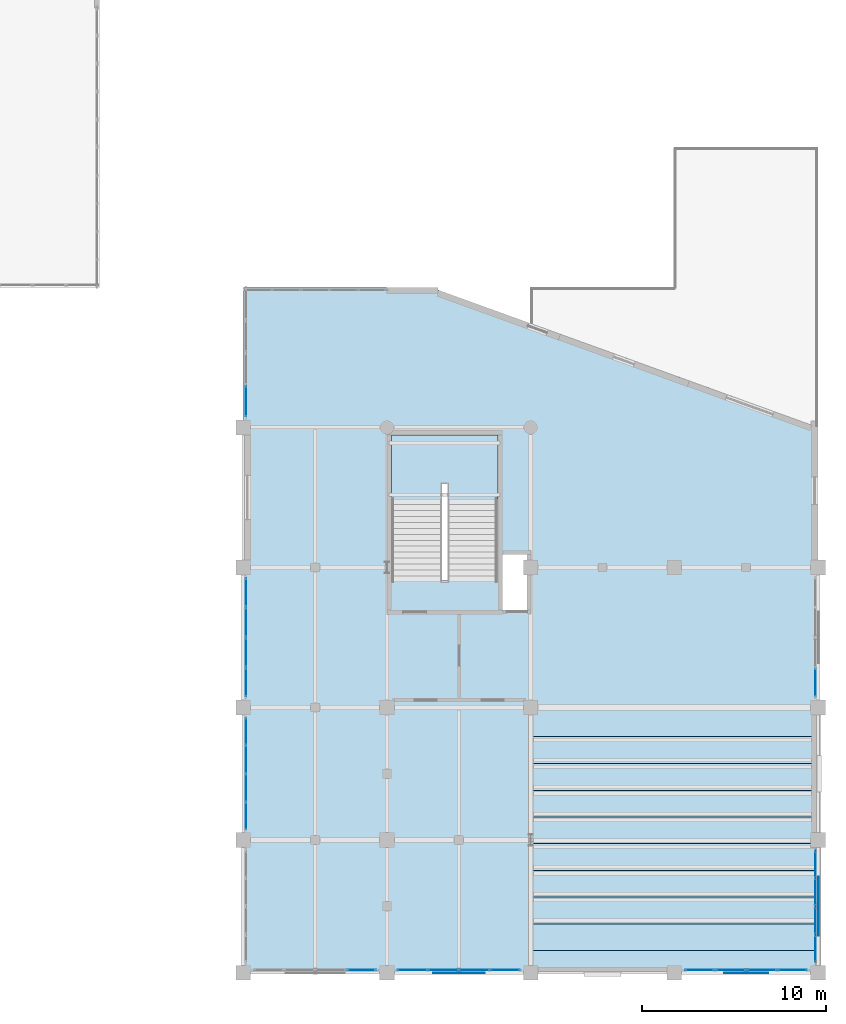
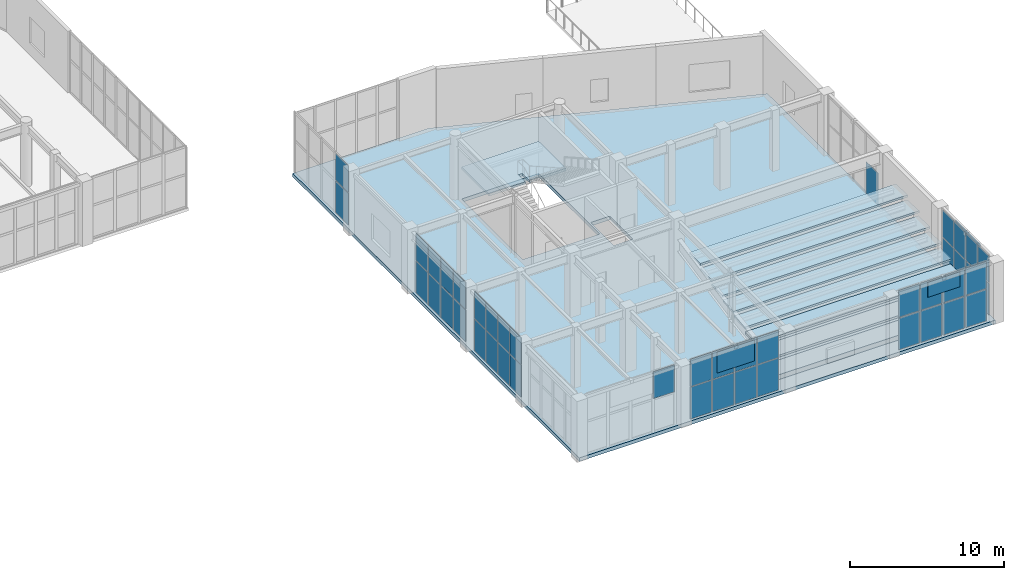
# One storey, part 103 of 128: 47 plates, 10 slabs, 9 elements without a shape of their own.
"""IFC4 building model written with IfcOpenShell, lengths in metres."""

from ifc_helpers import new_model, si_unit, direction, frame, origin, origin_2d, place, context, subcontext, project, spatial, polyline, rectangle, outline, extrude, material, layer, layer_set, type_object, element, aggregate, save


model = new_model("IFC4")

# Units and contexts
model_context = context("Model", 3, precision=1e-05, world=origin(), true_north=direction((0.0, 1.0)))
body_context = subcontext(model_context, "Body", "Model", "MODEL_VIEW")
ifc_project = project(units=[si_unit("LENGTHUNIT", "METRE"), si_unit("AREAUNIT", "SQUARE_METRE"), si_unit("VOLUMEUNIT", "CUBIC_METRE"), si_unit("PLANEANGLEUNIT", "RADIAN"), si_unit("MASSUNIT", "GRAM", prefix="KILO")], contexts=[model_context])

# Site, building, storey
site_placement = place(None, origin())
site = spatial("IfcSite", under=ifc_project, at=site_placement, CompositionType="ELEMENT")
building_placement = place(site_placement, origin())
building = spatial("IfcBuilding", under=site, at=building_placement, Name="Xicomal Pleat Aquarium", CompositionType="ELEMENT")
storey_placement = place(building_placement, frame((0.0, 0.0, 5.39990234375)))
storey = spatial("IfcBuildingStorey", under=building, at=storey_placement, Name="L02", CompositionType="ELEMENT", Elevation=5.39990234375)

# Curtain wall, plate
ifc_material_1 = material(Name="Bronze anodized aluminium 6063-T6", Category="aluminium")
ifc_layer_1 = layer(ifc_material_1, 0.159912109375)
ifc_layer_set_1 = layer_set([ifc_layer_1], Name="Bronze anodized aluminium 6063-T6")
curtain_wall_type_1 = type_object("IfcCurtainWallType", Name="CW-SYS-02", PredefinedType="NOTDEFINED", material=ifc_layer_set_1)
curtain_wall_1_placement = place(storey_placement, origin())
curtain_wall_1 = element("IfcCurtainWall", 1, at=curtain_wall_1_placement, inside=storey, type_object=curtain_wall_type_1, Name="L02 unitised curtain wall CW-L02-072", PredefinedType="NOTDEFINED")
ifc_material_2 = material(Name="Insulated low-E laminated glass", Category="glass")
ifc_layer_2 = layer(ifc_material_2, 0.028076171875)
ifc_layer_set_2 = layer_set([ifc_layer_2], Name="Insulated low-E laminated glass")
plate_type_1 = type_object("IfcPlateType", Name="CWP-GLZ-28", PredefinedType="CURTAIN_PANEL", material=ifc_layer_set_2)
plate_1_placement = place(storey_placement, frame((164.860107421875, 16.55615234375, 0.065185546875), z_axis=(0.0, 0.0, 1.0), x_axis=(0.0, -1.0, 0.0)))
plate_1 = element("IfcPlate", 2, at=plate_1_placement, type_object=plate_type_1, Name="CW-02 panel 4.1", PredefinedType="CURTAIN_PANEL", context=body_context, shape_type="SweptSolid", body=[
    extrude(rectangle(XDim=1.54248046875, YDim=0.028076171875, at=origin_2d()), origin(), (0.0, 0.0, 1.0), 2.5166015625),
])
aggregate(curtain_wall_1, [plate_1])

ifc_material_3 = material(Name="Bronze anodized aluminium 6063-T6", Category="aluminium")
ifc_layer_3 = layer(ifc_material_3, 0.159912109375)
ifc_layer_set_3 = layer_set([ifc_layer_3], Name="Bronze anodized aluminium 6063-T6")
curtain_wall_type_2 = type_object("IfcCurtainWallType", Name="CW-SYS-07", PredefinedType="NOTDEFINED", material=ifc_layer_set_3)
curtain_wall_2_placement = place(storey_placement, origin())
curtain_wall_2 = element("IfcCurtainWall", 3, at=curtain_wall_2_placement, inside=storey, type_object=curtain_wall_type_2, Name="L02 unitised curtain wall CW-L02-076", PredefinedType="NOTDEFINED")
plate_2_placement = place(storey_placement, frame((140.21630859375, 0.93994140625, 2.6513671875), z_axis=(0.0, 0.0, 1.0), x_axis=(-1.0, 0.0, 0.0)))
plate_2 = element("IfcPlate", 4, at=plate_2_placement, type_object=plate_type_1, Name="CW-07 panel 1.2", PredefinedType="CURTAIN_PANEL", context=body_context, shape_type="SweptSolid", body=[
    extrude(rectangle(XDim=1.577392578125, YDim=0.028076171875, at=origin_2d()), origin(), (0.0, 0.0, 1.0), 2.113525390625),
])
aggregate(curtain_wall_2, [plate_2])

# Curtain wall, plates
ifc_material_4 = material(Name="Bronze anodized aluminium 6063-T6", Category="aluminium")
ifc_layer_4 = layer(ifc_material_4, 0.159912109375)
ifc_layer_set_4 = layer_set([ifc_layer_4], Name="Bronze anodized aluminium 6063-T6")
curtain_wall_type_3 = type_object("IfcCurtainWallType", Name="CW-SYS-12", PredefinedType="NOTDEFINED", material=ifc_layer_set_4)
curtain_wall_3_placement = place(storey_placement, origin())
curtain_wall_3 = element("IfcCurtainWall", 5, at=curtain_wall_3_placement, inside=storey, type_object=curtain_wall_type_3, Name="L02 unitised curtain wall CW-L02-080", PredefinedType="NOTDEFINED")
plate_3_placement = place(storey_placement, frame((133.93994140625, 31.826416015625, 0.0849609375), z_axis=(0.0, 0.0, 1.0), x_axis=(0.0, 1.0, 0.0)))
plate_3 = element("IfcPlate", 6, at=plate_3_placement, type_object=plate_type_1, Name="CW-12 panel 1.1", PredefinedType="CURTAIN_PANEL", context=body_context, shape_type="SweptSolid", body=[
    extrude(rectangle(XDim=1.642578125, YDim=0.028076171875, at=origin_2d()), origin(), (0.0, 0.0, 1.0), 2.49658203125),
])
plate_4_placement = place(storey_placement, frame((133.93994140625, 31.826416015625, 2.66650390625), z_axis=(0.0, 0.0, 1.0), x_axis=(0.0, 1.0, 0.0)))
plate_4 = element("IfcPlate", 7, at=plate_4_placement, type_object=plate_type_1, Name="CW-12 panel 1.2", PredefinedType="CURTAIN_PANEL", context=body_context, shape_type="SweptSolid", body=[
    extrude(rectangle(XDim=1.642578125, YDim=0.028076171875, at=origin_2d()), origin(), (0.0, 0.0, 1.0), 2.1083984375),
])
aggregate(curtain_wall_3, [plate_3, plate_4])

curtain_wall_4_placement = place(storey_placement, origin())
curtain_wall_4 = element("IfcCurtainWall", 8, at=curtain_wall_4_placement, inside=storey, type_object=curtain_wall_type_2, Name="L02 unitised curtain wall CW-L02-073", PredefinedType="NOTDEFINED")
ifc_material_5 = material(Name="Insulated low-E laminated glass", Category="glass")
ifc_layer_5 = layer(ifc_material_5, 0.031982421875)
ifc_layer_set_5 = layer_set([ifc_layer_5], Name="Insulated low-E laminated glass")
plate_type_2 = type_object("IfcPlateType", Name="CWP-GLZ-32", PredefinedType="CURTAIN_PANEL", material=ifc_layer_set_5)
plate_5_placement = place(storey_placement, frame((164.860107421875, 6.69140625, 0.074951171875), z_axis=(0.0, 0.0, 1.0), x_axis=(0.0, -1.0, 0.0)))
plate_5 = element("IfcPlate", 9, at=plate_5_placement, type_object=plate_type_2, Name="CW-07 panel 1.1", PredefinedType="CURTAIN_PANEL", context=body_context, shape_type="SweptSolid", body=[
    extrude(rectangle(XDim=1.427490234375, YDim=0.031982421875, at=origin_2d()), origin(), (0.0, 0.0, 1.0), 2.50146484375),
])
plate_6_placement = place(storey_placement, frame((164.860107421875, 6.69140625, 2.6513671875), z_axis=(0.0, 0.0, 1.0), x_axis=(0.0, -1.0, 0.0)))
plate_6 = element("IfcPlate", 10, at=plate_6_placement, type_object=plate_type_2, Name="CW-07 panel 1.2", PredefinedType="CURTAIN_PANEL", context=body_context, shape_type="SweptSolid", body=[
    extrude(rectangle(XDim=1.427490234375, YDim=0.031982421875, at=origin_2d()), origin(), (0.0, 0.0, 1.0), 2.113525390625),
])
plate_7_placement = place(storey_placement, frame((164.860107421875, 5.169921875, 0.074951171875), z_axis=(0.0, 0.0, 1.0), x_axis=(0.0, -1.0, 0.0)))
plate_7 = element("IfcPlate", 11, at=plate_7_placement, type_object=plate_type_2, Name="CW-07 panel 2.1", PredefinedType="CURTAIN_PANEL", context=body_context, shape_type="SweptSolid", body=[
    extrude(rectangle(XDim=1.465087890625, YDim=0.031982421875, at=origin_2d()), origin(), (0.0, 0.0, 1.0), 2.50146484375),
])
plate_8_placement = place(storey_placement, frame((164.860107421875, 5.169921875, 2.6513671875), z_axis=(0.0, 0.0, 1.0), x_axis=(0.0, -1.0, 0.0)))
plate_8 = element("IfcPlate", 12, at=plate_8_placement, type_object=plate_type_2, Name="CW-07 panel 2.2", PredefinedType="CURTAIN_PANEL", context=body_context, shape_type="SweptSolid", body=[
    extrude(rectangle(XDim=1.465087890625, YDim=0.031982421875, at=origin_2d()), origin(), (0.0, 0.0, 1.0), 2.113525390625),
])
plate_9_placement = place(storey_placement, frame((164.860107421875, 3.6298828125, 0.074951171875), z_axis=(0.0, 0.0, 1.0), x_axis=(0.0, -1.0, 0.0)))
plate_9 = element("IfcPlate", 13, at=plate_9_placement, type_object=plate_type_2, Name="CW-07 panel 3.1", PredefinedType="CURTAIN_PANEL", context=body_context, shape_type="SweptSolid", body=[
    extrude(rectangle(XDim=1.465087890625, YDim=0.031982421875, at=origin_2d()), origin(), (0.0, 0.0, 1.0), 2.50146484375),
])
plate_10_placement = place(storey_placement, frame((164.860107421875, 3.6298828125, 2.6513671875), z_axis=(0.0, 0.0, 1.0), x_axis=(0.0, -1.0, 0.0)))
plate_10 = element("IfcPlate", 14, at=plate_10_placement, type_object=plate_type_2, Name="CW-07 panel 3.2", PredefinedType="CURTAIN_PANEL", context=body_context, shape_type="SweptSolid", body=[
    extrude(rectangle(XDim=1.465087890625, YDim=0.031982421875, at=origin_2d()), origin(), (0.0, 0.0, 1.0), 2.113525390625),
])
plate_11_placement = place(storey_placement, frame((164.860107421875, 2.10888671875, 0.074951171875), z_axis=(0.0, 0.0, 1.0), x_axis=(0.0, -1.0, 0.0)))
plate_11 = element("IfcPlate", 15, at=plate_11_placement, type_object=plate_type_2, Name="CW-07 panel 4.1", PredefinedType="CURTAIN_PANEL", context=body_context, shape_type="SweptSolid", body=[
    extrude(rectangle(XDim=1.427490234375, YDim=0.031982421875, at=origin_2d()), origin(), (0.0, 0.0, 1.0), 2.50146484375),
])
plate_12_placement = place(storey_placement, frame((164.860107421875, 2.10888671875, 2.6513671875), z_axis=(0.0, 0.0, 1.0), x_axis=(0.0, -1.0, 0.0)))
plate_12 = element("IfcPlate", 16, at=plate_12_placement, type_object=plate_type_2, Name="CW-07 panel 4.2", PredefinedType="CURTAIN_PANEL", context=body_context, shape_type="SweptSolid", body=[
    extrude(rectangle(XDim=1.427490234375, YDim=0.031982421875, at=origin_2d()), origin(), (0.0, 0.0, 1.0), 2.113525390625),
])
aggregate(curtain_wall_4, [plate_5, plate_6, plate_7, plate_8, plate_9, plate_10, plate_11, plate_12])

curtain_wall_5_placement = place(storey_placement, origin())
curtain_wall_5 = element("IfcCurtainWall", 17, at=curtain_wall_5_placement, inside=storey, type_object=curtain_wall_type_3, Name="L02 unitised curtain wall CW-L02-074", PredefinedType="NOTDEFINED")
ifc_material_6 = material(Name="Insulated low-E laminated glass", Category="glass")
ifc_layer_6 = layer(ifc_material_6, 0.035888671875)
ifc_layer_set_6 = layer_set([ifc_layer_6], Name="Insulated low-E laminated glass")
plate_type_3 = type_object("IfcPlateType", Name="CWP-GLZ-36", PredefinedType="CURTAIN_PANEL", material=ifc_layer_set_6)
plate_13_placement = place(storey_placement, frame((163.61376953125, 0.93994140625, 0.0849609375), z_axis=(0.0, 0.0, 1.0), x_axis=(-1.0, 0.0, 0.0)))
plate_13 = element("IfcPlate", 18, at=plate_13_placement, type_object=plate_type_3, Name="CW-12 panel 1.1", PredefinedType="CURTAIN_PANEL", context=body_context, shape_type="SweptSolid", body=[
    extrude(rectangle(XDim=1.5625, YDim=0.035888671875, at=origin_2d()), origin(), (0.0, 0.0, 1.0), 2.486572265625),
])
plate_14_placement = place(storey_placement, frame((163.61376953125, 0.93994140625, 2.65673828125), z_axis=(0.0, 0.0, 1.0), x_axis=(-1.0, 0.0, 0.0)))
plate_14 = element("IfcPlate", 19, at=plate_14_placement, type_object=plate_type_3, Name="CW-12 panel 1.2", PredefinedType="CURTAIN_PANEL", context=body_context, shape_type="SweptSolid", body=[
    extrude(rectangle(XDim=1.5625, YDim=0.035888671875, at=origin_2d()), origin(), (0.0, 0.0, 1.0), 2.098388671875),
])
plate_15_placement = place(storey_placement, frame((161.945068359375, 0.93994140625, 0.0849609375), z_axis=(0.0, 0.0, 1.0), x_axis=(-1.0, 0.0, 0.0)))
plate_15 = element("IfcPlate", 20, at=plate_15_placement, type_object=plate_type_3, Name="CW-12 panel 2.1", PredefinedType="CURTAIN_PANEL", context=body_context, shape_type="SweptSolid", body=[
    extrude(rectangle(XDim=1.60498046875, YDim=0.035888671875, at=origin_2d()), origin(), (0.0, 0.0, 1.0), 2.486572265625),
])
plate_16_placement = place(storey_placement, frame((161.945068359375, 0.93994140625, 2.65673828125), z_axis=(0.0, 0.0, 1.0), x_axis=(-1.0, 0.0, 0.0)))
plate_16 = element("IfcPlate", 21, at=plate_16_placement, type_object=plate_type_3, Name="CW-12 panel 2.2", PredefinedType="CURTAIN_PANEL", context=body_context, shape_type="SweptSolid", body=[
    extrude(rectangle(XDim=1.60498046875, YDim=0.035888671875, at=origin_2d()), origin(), (0.0, 0.0, 1.0), 2.098388671875),
])
plate_17_placement = place(storey_placement, frame((160.2548828125, 0.93994140625, 0.0849609375), z_axis=(0.0, 0.0, 1.0), x_axis=(-1.0, 0.0, 0.0)))
plate_17 = element("IfcPlate", 22, at=plate_17_placement, type_object=plate_type_3, Name="CW-12 panel 3.1", PredefinedType="CURTAIN_PANEL", context=body_context, shape_type="SweptSolid", body=[
    extrude(rectangle(XDim=1.60498046875, YDim=0.035888671875, at=origin_2d()), origin(), (0.0, 0.0, 1.0), 2.486572265625),
])
plate_18_placement = place(storey_placement, frame((160.2548828125, 0.93994140625, 2.65673828125), z_axis=(0.0, 0.0, 1.0), x_axis=(-1.0, 0.0, 0.0)))
plate_18 = element("IfcPlate", 23, at=plate_18_placement, type_object=plate_type_3, Name="CW-12 panel 3.2", PredefinedType="CURTAIN_PANEL", context=body_context, shape_type="SweptSolid", body=[
    extrude(rectangle(XDim=1.60498046875, YDim=0.035888671875, at=origin_2d()), origin(), (0.0, 0.0, 1.0), 2.098388671875),
])
plate_19_placement = place(storey_placement, frame((158.586181640625, 0.93994140625, 0.0849609375), z_axis=(0.0, 0.0, 1.0), x_axis=(-1.0, 0.0, 0.0)))
plate_19 = element("IfcPlate", 24, at=plate_19_placement, type_object=plate_type_3, Name="CW-12 panel 4.1", PredefinedType="CURTAIN_PANEL", context=body_context, shape_type="SweptSolid", body=[
    extrude(rectangle(XDim=1.5625, YDim=0.035888671875, at=origin_2d()), origin(), (0.0, 0.0, 1.0), 2.486572265625),
])
plate_20_placement = place(storey_placement, frame((158.586181640625, 0.93994140625, 2.65673828125), z_axis=(0.0, 0.0, 1.0), x_axis=(-1.0, 0.0, 0.0)))
plate_20 = element("IfcPlate", 25, at=plate_20_placement, type_object=plate_type_3, Name="CW-12 panel 4.2", PredefinedType="CURTAIN_PANEL", context=body_context, shape_type="SweptSolid", body=[
    extrude(rectangle(XDim=1.5625, YDim=0.035888671875, at=origin_2d()), origin(), (0.0, 0.0, 1.0), 2.098388671875),
])
aggregate(curtain_wall_5, [plate_13, plate_14, plate_15, plate_16, plate_17, plate_18, plate_19, plate_20])

curtain_wall_6_placement = place(storey_placement, origin())
curtain_wall_6 = element("IfcCurtainWall", 26, at=curtain_wall_6_placement, inside=storey, type_object=curtain_wall_type_1, Name="L02 unitised curtain wall CW-L02-078", PredefinedType="NOTDEFINED")
plate_21_placement = place(storey_placement, frame((133.93994140625, 9.306396484375, 0.065185546875), z_axis=(0.0, 0.0, 1.0), x_axis=(0.0, 1.0, 0.0)))
plate_21 = element("IfcPlate", 27, at=plate_21_placement, type_object=plate_type_3, Name="CW-02 panel 1.1", PredefinedType="CURTAIN_PANEL", context=body_context, shape_type="SweptSolid", body=[
    extrude(rectangle(XDim=1.4423828125, YDim=0.035888671875, at=origin_2d()), origin(), (0.0, 0.0, 1.0), 2.5166015625),
])
plate_22_placement = place(storey_placement, frame((133.93994140625, 9.306396484375, 2.646484375), z_axis=(0.0, 0.0, 1.0), x_axis=(0.0, 1.0, 0.0)))
plate_22 = element("IfcPlate", 28, at=plate_22_placement, type_object=plate_type_3, Name="CW-02 panel 1.2", PredefinedType="CURTAIN_PANEL", context=body_context, shape_type="SweptSolid", body=[
    extrude(rectangle(XDim=1.4423828125, YDim=0.035888671875, at=origin_2d()), origin(), (0.0, 0.0, 1.0), 2.12841796875),
])
plate_23_placement = place(storey_placement, frame((133.93994140625, 10.830078125, 0.065185546875), z_axis=(0.0, 0.0, 1.0), x_axis=(0.0, 1.0, 0.0)))
plate_23 = element("IfcPlate", 29, at=plate_23_placement, type_object=plate_type_3, Name="CW-02 panel 2.1", PredefinedType="CURTAIN_PANEL", context=body_context, shape_type="SweptSolid", body=[
    extrude(rectangle(XDim=1.47509765625, YDim=0.035888671875, at=origin_2d()), origin(), (0.0, 0.0, 1.0), 2.5166015625),
])
plate_24_placement = place(storey_placement, frame((133.93994140625, 10.830078125, 2.646484375), z_axis=(0.0, 0.0, 1.0), x_axis=(0.0, 1.0, 0.0)))
plate_24 = element("IfcPlate", 30, at=plate_24_placement, type_object=plate_type_3, Name="CW-02 panel 2.2", PredefinedType="CURTAIN_PANEL", context=body_context, shape_type="SweptSolid", body=[
    extrude(rectangle(XDim=1.47509765625, YDim=0.035888671875, at=origin_2d()), origin(), (0.0, 0.0, 1.0), 2.12841796875),
])
plate_25_placement = place(storey_placement, frame((133.93994140625, 12.3701171875, 0.065185546875), z_axis=(0.0, 0.0, 1.0), x_axis=(0.0, 1.0, 0.0)))
plate_25 = element("IfcPlate", 31, at=plate_25_placement, type_object=plate_type_3, Name="CW-02 panel 3.1", PredefinedType="CURTAIN_PANEL", context=body_context, shape_type="SweptSolid", body=[
    extrude(rectangle(XDim=1.47509765625, YDim=0.035888671875, at=origin_2d()), origin(), (0.0, 0.0, 1.0), 2.5166015625),
])
plate_26_placement = place(storey_placement, frame((133.93994140625, 12.3701171875, 2.646484375), z_axis=(0.0, 0.0, 1.0), x_axis=(0.0, 1.0, 0.0)))
plate_26 = element("IfcPlate", 32, at=plate_26_placement, type_object=plate_type_3, Name="CW-02 panel 3.2", PredefinedType="CURTAIN_PANEL", context=body_context, shape_type="SweptSolid", body=[
    extrude(rectangle(XDim=1.47509765625, YDim=0.035888671875, at=origin_2d()), origin(), (0.0, 0.0, 1.0), 2.12841796875),
])
plate_27_placement = place(storey_placement, frame((133.93994140625, 13.893798828125, 0.065185546875), z_axis=(0.0, 0.0, 1.0), x_axis=(0.0, 1.0, 0.0)))
plate_27 = element("IfcPlate", 33, at=plate_27_placement, type_object=plate_type_3, Name="CW-02 panel 4.1", PredefinedType="CURTAIN_PANEL", context=body_context, shape_type="SweptSolid", body=[
    extrude(rectangle(XDim=1.4423828125, YDim=0.035888671875, at=origin_2d()), origin(), (0.0, 0.0, 1.0), 2.5166015625),
])
plate_28_placement = place(storey_placement, frame((133.93994140625, 13.893798828125, 2.646484375), z_axis=(0.0, 0.0, 1.0), x_axis=(0.0, 1.0, 0.0)))
plate_28 = element("IfcPlate", 34, at=plate_28_placement, type_object=plate_type_3, Name="CW-02 panel 4.2", PredefinedType="CURTAIN_PANEL", context=body_context, shape_type="SweptSolid", body=[
    extrude(rectangle(XDim=1.4423828125, YDim=0.035888671875, at=origin_2d()), origin(), (0.0, 0.0, 1.0), 2.12841796875),
])
aggregate(curtain_wall_6, [plate_21, plate_22, plate_23, plate_24, plate_25, plate_26, plate_27, plate_28])

curtain_wall_7_placement = place(storey_placement, origin())
curtain_wall_7 = element("IfcCurtainWall", 35, at=curtain_wall_7_placement, inside=storey, type_object=curtain_wall_type_1, Name="L02 unitised curtain wall CW-L02-075", PredefinedType="NOTDEFINED")
ifc_material_7 = material(Name="Insulated low-E laminated glass", Category="glass")
ifc_layer_7 = layer(ifc_material_7, 0.0419921875)
ifc_layer_set_7 = layer_set([ifc_layer_7], Name="Insulated low-E laminated glass")
plate_type_4 = type_object("IfcPlateType", Name="CWP-GLZ-42", PredefinedType="CURTAIN_PANEL", material=ifc_layer_set_7)
plate_29_placement = place(storey_placement, frame((148.018798828125, 0.93994140625, 0.065185546875), z_axis=(0.0, 0.0, 1.0), x_axis=(-1.0, 0.0, 0.0)))
plate_29 = element("IfcPlate", 36, at=plate_29_placement, type_object=plate_type_4, Name="CW-02 panel 1.1", PredefinedType="CURTAIN_PANEL", context=body_context, shape_type="SweptSolid", body=[
    extrude(rectangle(XDim=1.592529296875, YDim=0.0419921875, at=origin_2d()), origin(), (0.0, 0.0, 1.0), 2.5166015625),
])
plate_30_placement = place(storey_placement, frame((148.018798828125, 0.93994140625, 2.646484375), z_axis=(0.0, 0.0, 1.0), x_axis=(-1.0, 0.0, 0.0)))
plate_30 = element("IfcPlate", 37, at=plate_30_placement, type_object=plate_type_4, Name="CW-02 panel 1.2", PredefinedType="CURTAIN_PANEL", context=body_context, shape_type="SweptSolid", body=[
    extrude(rectangle(XDim=1.592529296875, YDim=0.0419921875, at=origin_2d()), origin(), (0.0, 0.0, 1.0), 2.12841796875),
])
plate_31_placement = place(storey_placement, frame((146.344970703125, 0.93994140625, 0.065185546875), z_axis=(0.0, 0.0, 1.0), x_axis=(-1.0, 0.0, 0.0)))
plate_31 = element("IfcPlate", 38, at=plate_31_placement, type_object=plate_type_4, Name="CW-02 panel 2.1", PredefinedType="CURTAIN_PANEL", context=body_context, shape_type="SweptSolid", body=[
    extrude(rectangle(XDim=1.625, YDim=0.0419921875, at=origin_2d()), origin(), (0.0, 0.0, 1.0), 2.5166015625),
])
plate_32_placement = place(storey_placement, frame((146.344970703125, 0.93994140625, 2.646484375), z_axis=(0.0, 0.0, 1.0), x_axis=(-1.0, 0.0, 0.0)))
plate_32 = element("IfcPlate", 39, at=plate_32_placement, type_object=plate_type_4, Name="CW-02 panel 2.2", PredefinedType="CURTAIN_PANEL", context=body_context, shape_type="SweptSolid", body=[
    extrude(rectangle(XDim=1.625, YDim=0.0419921875, at=origin_2d()), origin(), (0.0, 0.0, 1.0), 2.12841796875),
])
plate_33_placement = place(storey_placement, frame((144.655029296875, 0.93994140625, 0.065185546875), z_axis=(0.0, 0.0, 1.0), x_axis=(-1.0, 0.0, 0.0)))
plate_33 = element("IfcPlate", 40, at=plate_33_placement, type_object=plate_type_4, Name="CW-02 panel 3.1", PredefinedType="CURTAIN_PANEL", context=body_context, shape_type="SweptSolid", body=[
    extrude(rectangle(XDim=1.625, YDim=0.0419921875, at=origin_2d()), origin(), (0.0, 0.0, 1.0), 2.5166015625),
])
plate_34_placement = place(storey_placement, frame((144.655029296875, 0.93994140625, 2.646484375), z_axis=(0.0, 0.0, 1.0), x_axis=(-1.0, 0.0, 0.0)))
plate_34 = element("IfcPlate", 41, at=plate_34_placement, type_object=plate_type_4, Name="CW-02 panel 3.2", PredefinedType="CURTAIN_PANEL", context=body_context, shape_type="SweptSolid", body=[
    extrude(rectangle(XDim=1.625, YDim=0.0419921875, at=origin_2d()), origin(), (0.0, 0.0, 1.0), 2.12841796875),
])
plate_35_placement = place(storey_placement, frame((142.981201171875, 0.93994140625, 0.065185546875), z_axis=(0.0, 0.0, 1.0), x_axis=(-1.0, 0.0, 0.0)))
plate_35 = element("IfcPlate", 42, at=plate_35_placement, type_object=plate_type_4, Name="CW-02 panel 4.1", PredefinedType="CURTAIN_PANEL", context=body_context, shape_type="SweptSolid", body=[
    extrude(rectangle(XDim=1.592529296875, YDim=0.0419921875, at=origin_2d()), origin(), (0.0, 0.0, 1.0), 2.5166015625),
])
plate_36_placement = place(storey_placement, frame((142.981201171875, 0.93994140625, 2.646484375), z_axis=(0.0, 0.0, 1.0), x_axis=(-1.0, 0.0, 0.0)))
plate_36 = element("IfcPlate", 43, at=plate_36_placement, type_object=plate_type_4, Name="CW-02 panel 4.2", PredefinedType="CURTAIN_PANEL", context=body_context, shape_type="SweptSolid", body=[
    extrude(rectangle(XDim=1.592529296875, YDim=0.0419921875, at=origin_2d()), origin(), (0.0, 0.0, 1.0), 2.12841796875),
])
aggregate(curtain_wall_7, [plate_29, plate_30, plate_31, plate_32, plate_33, plate_34, plate_35, plate_36])

curtain_wall_8_placement = place(storey_placement, origin())
curtain_wall_8 = element("IfcCurtainWall", 44, at=curtain_wall_8_placement, inside=storey, type_object=curtain_wall_type_2, Name="L02 unitised curtain wall CW-L02-079", PredefinedType="NOTDEFINED")
plate_37_placement = place(storey_placement, frame((133.93994140625, 16.55859375, 0.074951171875), z_axis=(0.0, 0.0, 1.0), x_axis=(0.0, 1.0, 0.0)))
plate_37 = element("IfcPlate", 45, at=plate_37_placement, type_object=plate_type_4, Name="CW-07 panel 1.1", PredefinedType="CURTAIN_PANEL", context=body_context, shape_type="SweptSolid", body=[
    extrude(rectangle(XDim=1.527587890625, YDim=0.0419921875, at=origin_2d()), origin(), (0.0, 0.0, 1.0), 2.50146484375),
])
plate_38_placement = place(storey_placement, frame((133.93994140625, 16.55859375, 2.6513671875), z_axis=(0.0, 0.0, 1.0), x_axis=(0.0, 1.0, 0.0)))
plate_38 = element("IfcPlate", 46, at=plate_38_placement, type_object=plate_type_4, Name="CW-07 panel 1.2", PredefinedType="CURTAIN_PANEL", context=body_context, shape_type="SweptSolid", body=[
    extrude(rectangle(XDim=1.527587890625, YDim=0.0419921875, at=origin_2d()), origin(), (0.0, 0.0, 1.0), 2.113525390625),
])
plate_39_placement = place(storey_placement, frame((133.93994140625, 18.179931640625, 0.074951171875), z_axis=(0.0, 0.0, 1.0), x_axis=(0.0, 1.0, 0.0)))
plate_39 = element("IfcPlate", 47, at=plate_39_placement, type_object=plate_type_4, Name="CW-07 panel 2.1", PredefinedType="CURTAIN_PANEL", context=body_context, shape_type="SweptSolid", body=[
    extrude(rectangle(XDim=1.56494140625, YDim=0.0419921875, at=origin_2d()), origin(), (0.0, 0.0, 1.0), 2.50146484375),
])
plate_40_placement = place(storey_placement, frame((133.93994140625, 18.179931640625, 2.6513671875), z_axis=(0.0, 0.0, 1.0), x_axis=(0.0, 1.0, 0.0)))
plate_40 = element("IfcPlate", 48, at=plate_40_placement, type_object=plate_type_4, Name="CW-07 panel 2.2", PredefinedType="CURTAIN_PANEL", context=body_context, shape_type="SweptSolid", body=[
    extrude(rectangle(XDim=1.56494140625, YDim=0.0419921875, at=origin_2d()), origin(), (0.0, 0.0, 1.0), 2.113525390625),
])
plate_41_placement = place(storey_placement, frame((133.93994140625, 19.820068359375, 0.074951171875), z_axis=(0.0, 0.0, 1.0), x_axis=(0.0, 1.0, 0.0)))
plate_41 = element("IfcPlate", 49, at=plate_41_placement, type_object=plate_type_4, Name="CW-07 panel 3.1", PredefinedType="CURTAIN_PANEL", context=body_context, shape_type="SweptSolid", body=[
    extrude(rectangle(XDim=1.56494140625, YDim=0.0419921875, at=origin_2d()), origin(), (0.0, 0.0, 1.0), 2.50146484375),
])
plate_42_placement = place(storey_placement, frame((133.93994140625, 19.820068359375, 2.6513671875), z_axis=(0.0, 0.0, 1.0), x_axis=(0.0, 1.0, 0.0)))
plate_42 = element("IfcPlate", 50, at=plate_42_placement, type_object=plate_type_4, Name="CW-07 panel 3.2", PredefinedType="CURTAIN_PANEL", context=body_context, shape_type="SweptSolid", body=[
    extrude(rectangle(XDim=1.56494140625, YDim=0.0419921875, at=origin_2d()), origin(), (0.0, 0.0, 1.0), 2.113525390625),
])
plate_43_placement = place(storey_placement, frame((133.93994140625, 21.44140625, 0.074951171875), z_axis=(0.0, 0.0, 1.0), x_axis=(0.0, 1.0, 0.0)))
plate_43 = element("IfcPlate", 51, at=plate_43_placement, type_object=plate_type_4, Name="CW-07 panel 4.1", PredefinedType="CURTAIN_PANEL", context=body_context, shape_type="SweptSolid", body=[
    extrude(rectangle(XDim=1.527587890625, YDim=0.0419921875, at=origin_2d()), origin(), (0.0, 0.0, 1.0), 2.50146484375),
])
plate_44_placement = place(storey_placement, frame((133.93994140625, 21.44140625, 2.6513671875), z_axis=(0.0, 0.0, 1.0), x_axis=(0.0, 1.0, 0.0)))
plate_44 = element("IfcPlate", 52, at=plate_44_placement, type_object=plate_type_4, Name="CW-07 panel 4.2", PredefinedType="CURTAIN_PANEL", context=body_context, shape_type="SweptSolid", body=[
    extrude(rectangle(XDim=1.527587890625, YDim=0.0419921875, at=origin_2d()), origin(), (0.0, 0.0, 1.0), 2.113525390625),
])
aggregate(curtain_wall_8, [plate_37, plate_38, plate_39, plate_40, plate_41, plate_42, plate_43, plate_44])

# Plates
ifc_material_8 = material(Name="Perforated bronze anodized aluminium", Category="aluminium")
ifc_layer_8 = layer(ifc_material_8, 0.01611328125)
ifc_layer_set_8 = layer_set([ifc_layer_8], Name="Perforated bronze anodized aluminium")
plate_type_5 = type_object("IfcPlateType", Name="PLT-SUN-16", PredefinedType="USERDEFINED", material=ifc_layer_set_8)
plate_45_placement = place(storey_placement, frame((161.10009765625, 0.780029296875, 3.60009765625), z_axis=(0.0, 0.0, 1.0), x_axis=(-1.0, 0.0, 0.0)))
element("IfcPlate", 53, at=plate_45_placement, inside=storey, type_object=plate_type_5, Name="L02 perforated solar sunshade 42", ObjectType="SUNSHADE PANEL", PredefinedType="USERDEFINED", context=body_context, shape_type="SweptSolid", body=[
    extrude(rectangle(XDim=2.39990234375, YDim=0.01611328125, at=origin_2d()), origin(), (0.0, 0.0, 1.0), 1.199951171875),
])
ifc_material_9 = material(Name="Perforated bronze anodized aluminium", Category="aluminium")
ifc_layer_9 = layer(ifc_material_9, 0.02001953125)
ifc_layer_set_9 = layer_set([ifc_layer_9], Name="Perforated bronze anodized aluminium")
plate_type_6 = type_object("IfcPlateType", Name="PLT-SUN-20", PredefinedType="USERDEFINED", material=ifc_layer_set_9)
plate_46_placement = place(storey_placement, frame((145.5, 0.780029296875, 3.1201171875), z_axis=(0.0, 0.0, 1.0), x_axis=(-1.0, 0.0, 0.0)))
element("IfcPlate", 54, at=plate_46_placement, inside=storey, type_object=plate_type_6, Name="L02 perforated solar sunshade 43", ObjectType="SUNSHADE PANEL", PredefinedType="USERDEFINED", context=body_context, shape_type="SweptSolid", body=[
    extrude(rectangle(XDim=2.800048828125, YDim=0.02001953125, at=origin_2d()), origin(), (0.0, 0.0, 1.0), 1.679931640625),
])
ifc_material_10 = material(Name="Perforated bronze anodized aluminium", Category="aluminium")
ifc_layer_10 = layer(ifc_material_10, 0.02392578125)
ifc_layer_set_10 = layer_set([ifc_layer_10], Name="Perforated bronze anodized aluminium")
plate_type_7 = type_object("IfcPlateType", Name="PLT-SUN-24", PredefinedType="USERDEFINED", material=ifc_layer_set_10)
plate_47_placement = place(storey_placement, frame((165.02001953125, 4.39990234375, 3.199951171875), z_axis=(0.0, 0.0, 1.0), x_axis=(0.0, -1.0, 0.0)))
element("IfcPlate", 55, at=plate_47_placement, inside=storey, type_object=plate_type_7, Name="L02 perforated solar sunshade 41", ObjectType="SUNSHADE PANEL", PredefinedType="USERDEFINED", context=body_context, shape_type="SweptSolid", body=[
    extrude(rectangle(XDim=3.199951171875, YDim=0.02392578125, at=origin_2d()), origin(), (0.0, 0.0, 1.0), 1.60009765625),
])

# Slab
ifc_material_11 = material(Name="Concrete C40/50", Category="concrete")
ifc_layer_11 = layer(ifc_material_11, 0.280029296875)
ifc_layer_set_11 = layer_set([ifc_layer_11], Name="Concrete C40/50")
slab_type_1 = type_object("IfcSlabType", Name="SLB-FLR-280", PredefinedType="FLOOR", material=ifc_layer_set_11)
slab_1_placement = place(storey_placement, frame((0.0, 0.0, -0.27978515625)))
element("IfcSlab", 56, at=slab_1_placement, inside=storey, type_object=slab_type_1, Name="L02 structural slab V3", PredefinedType="FLOOR", context=body_context, shape_type="SweptSolid", body=[
    extrude(outline(polyline([(133.800048828125, 38.0), (144.0, 38.0), (165.0, 30.39990234375), (165.0, 0.800048828125), (133.800048828125, 0.800048828125), (133.800048828125, 38.0)]), holes=[polyline([(141.840087890625, 22.080078125), (147.6201171875, 22.080078125), (147.6201171875, 30.0), (141.840087890625, 30.0), (141.840087890625, 22.080078125)]), polyline([(147.760009765625, 20.5), (149.199951171875, 20.5), (149.199951171875, 23.5), (147.760009765625, 23.5), (147.760009765625, 20.5)])]), origin(), (0.0, 0.0, 1.0), 0.27978515625),
])

# Stair, slab
ifc_material_12 = material(Name="Concrete C35/45", Category="concrete")
stair_type = type_object("IfcStairType", Name="STR-HT-5100-2400", PredefinedType="HALF_TURN_STAIR", material=ifc_material_12)
stair_placement = place(storey_placement, origin())
stair = element("IfcStair", 57, at=stair_placement, inside=storey, type_object=stair_type, Name="ST-08 fire exit stair L02 to L03", PredefinedType="HALF_TURN_STAIR")
ifc_material_13 = material(Name="Concrete C35/45", Category="concrete")
ifc_layer_12 = layer(ifc_material_13, 0.195068359375)
ifc_layer_set_12 = layer_set([ifc_layer_12], Name="Concrete C35/45")
slab_type_2 = type_object("IfcSlabType", Name="SLB-LND-195", PredefinedType="LANDING", material=ifc_layer_set_12)
slab_2_placement = place(storey_placement, frame((0.0, 0.0, 2.35498046875)))
slab_2 = element("IfcSlab", 58, at=slab_2_placement, type_object=slab_type_2, Name="ST-08 landing 1", PredefinedType="LANDING", context=body_context, shape_type="SweptSolid", body=[
    extrude(outline(polyline([(141.840087890625, 30.0), (147.6201171875, 30.0), (147.6201171875, 26.468017578125), (144.8798828125, 26.468017578125), (144.8798828125, 27.3779296875), (144.580078125, 27.3779296875), (144.580078125, 26.468017578125), (141.840087890625, 26.468017578125), (141.840087890625, 30.0)])), origin(), (0.0, 0.0, 1.0), 0.195068359375),
])
aggregate(stair, [slab_2])

# Slabs
ifc_material_14 = material(Name="Precast concrete C40/50", Category="concrete")
ifc_layer_13 = layer(ifc_material_14, 0.1650390625)
ifc_layer_set_13 = layer_set([ifc_layer_13], Name="Precast concrete C40/50")
slab_type_3 = type_object("IfcSlabType", Name="SLB-TIER-165", PredefinedType="USERDEFINED", material=ifc_layer_set_13)
slab_3_placement = place(storey_placement, frame((0.0, 0.0, -0.001953125)))
element("IfcSlab", 59, at=slab_3_placement, inside=storey, type_object=slab_type_3, Name="Marine auditorium raked seating tier 1", ObjectType="SEATING TIER", PredefinedType="USERDEFINED", context=body_context, shape_type="SweptSolid", body=[
    extrude(outline(polyline([(149.39990234375, 2.0), (165.0, 2.0), (164.93994140625, 3.47998046875), (149.4599609375, 3.47998046875), (149.39990234375, 2.0)])), origin(), (0.0, 0.0, 1.0), 0.382080078125),
])
slab_4_placement = place(storey_placement, frame((0.0, 0.0, 0.59521484375)))
element("IfcSlab", 60, at=slab_4_placement, inside=storey, type_object=slab_type_3, Name="Marine auditorium raked seating tier 2", ObjectType="SEATING TIER", PredefinedType="USERDEFINED", context=body_context, shape_type="SweptSolid", body=[
    extrude(outline(polyline([(149.419921875, 3.449951171875), (164.97998046875, 3.449951171875), (164.93994140625, 4.929931640625), (149.4599609375, 4.929931640625), (149.419921875, 3.449951171875)])), origin(), (0.0, 0.0, 1.0), 0.164794921875),
])
slab_5_placement = place(storey_placement, frame((0.0, 0.0, 0.97509765625)))
element("IfcSlab", 61, at=slab_5_placement, inside=storey, type_object=slab_type_3, Name="Marine auditorium raked seating tier 3", ObjectType="SEATING TIER", PredefinedType="USERDEFINED", context=body_context, shape_type="SweptSolid", body=[
    extrude(outline(polyline([(149.39990234375, 4.89990234375), (165.0, 4.89990234375), (164.93994140625, 6.3798828125), (149.4599609375, 6.3798828125), (149.39990234375, 4.89990234375)])), origin(), (0.0, 0.0, 1.0), 0.1650390625),
])
slab_6_placement = place(storey_placement, frame((0.0, 0.0, 1.35498046875)))
element("IfcSlab", 62, at=slab_6_placement, inside=storey, type_object=slab_type_3, Name="Marine auditorium raked seating tier 4", ObjectType="SEATING TIER", PredefinedType="USERDEFINED", context=body_context, shape_type="SweptSolid", body=[
    extrude(outline(polyline([(149.419921875, 6.35009765625), (164.97998046875, 6.35009765625), (164.93994140625, 7.830078125), (149.4599609375, 7.830078125), (149.419921875, 6.35009765625)])), origin(), (0.0, 0.0, 1.0), 0.1650390625),
])
slab_7_placement = place(storey_placement, frame((0.0, 0.0, 1.735107421875)))
element("IfcSlab", 63, at=slab_7_placement, inside=storey, type_object=slab_type_3, Name="Marine auditorium raked seating tier 5", ObjectType="SEATING TIER", PredefinedType="USERDEFINED", context=body_context, shape_type="SweptSolid", body=[
    extrude(outline(polyline([(149.39990234375, 7.800048828125), (165.0, 7.800048828125), (164.93994140625, 9.280029296875), (149.4599609375, 9.280029296875), (149.39990234375, 7.800048828125)])), origin(), (0.0, 0.0, 1.0), 0.1650390625),
])
slab_8_placement = place(storey_placement, frame((0.0, 0.0, 2.114990234375)))
element("IfcSlab", 64, at=slab_8_placement, inside=storey, type_object=slab_type_3, Name="Marine auditorium raked seating tier 6", ObjectType="SEATING TIER", PredefinedType="USERDEFINED", context=body_context, shape_type="SweptSolid", body=[
    extrude(outline(polyline([(149.419921875, 9.25), (164.97998046875, 9.25), (164.93994140625, 10.72998046875), (149.4599609375, 10.72998046875), (149.419921875, 9.25)])), origin(), (0.0, 0.0, 1.0), 0.1650390625),
])
slab_9_placement = place(storey_placement, frame((0.0, 0.0, 2.4951171875)))
element("IfcSlab", 65, at=slab_9_placement, inside=storey, type_object=slab_type_3, Name="Marine auditorium raked seating tier 7", ObjectType="SEATING TIER", PredefinedType="USERDEFINED", context=body_context, shape_type="SweptSolid", body=[
    extrude(outline(polyline([(149.39990234375, 10.699951171875), (165.0, 10.699951171875), (164.93994140625, 12.179931640625), (149.4599609375, 12.179931640625), (149.39990234375, 10.699951171875)])), origin(), (0.0, 0.0, 1.0), 0.1650390625),
])
slab_10_placement = place(storey_placement, frame((0.0, 0.0, 2.875)))
element("IfcSlab", 66, at=slab_10_placement, inside=storey, type_object=slab_type_3, Name="Marine auditorium raked seating tier 8", ObjectType="SEATING TIER", PredefinedType="USERDEFINED", context=body_context, shape_type="SweptSolid", body=[
    extrude(outline(polyline([(149.419921875, 12.14990234375), (164.97998046875, 12.14990234375), (164.93994140625, 13.6298828125), (149.4599609375, 13.6298828125), (149.419921875, 12.14990234375)])), origin(), (0.0, 0.0, 1.0), 0.1650390625),
])

save(model, "model.ifc")
